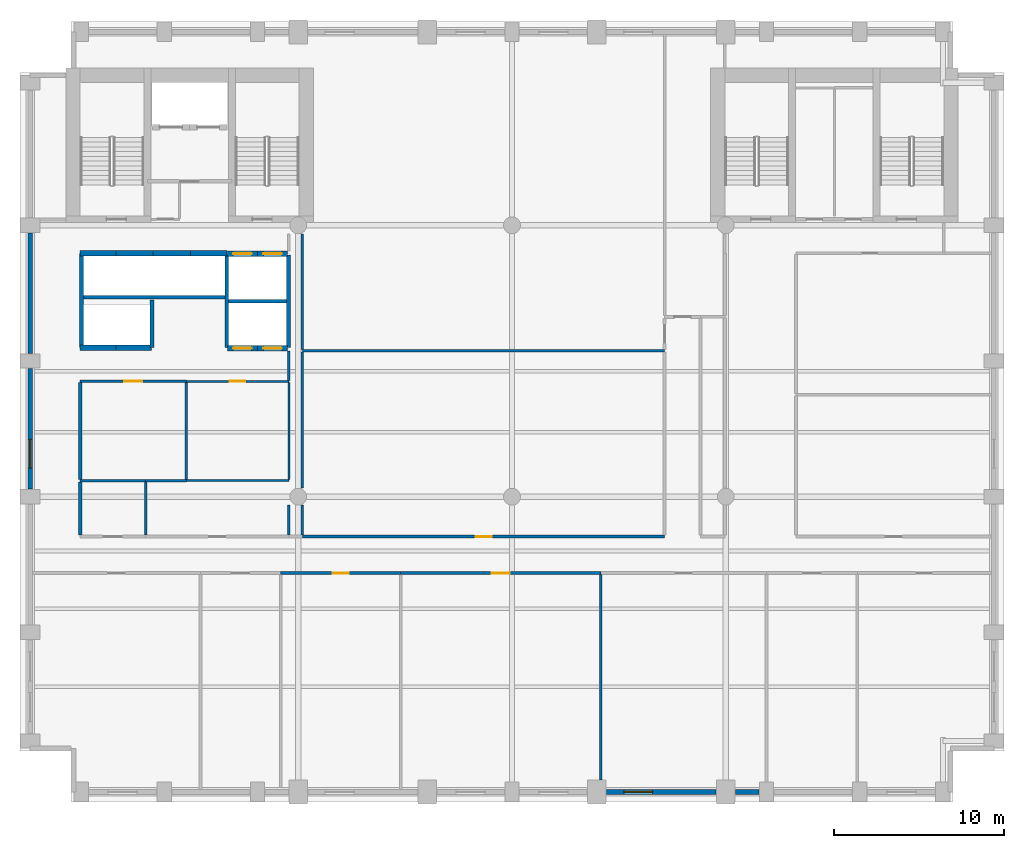
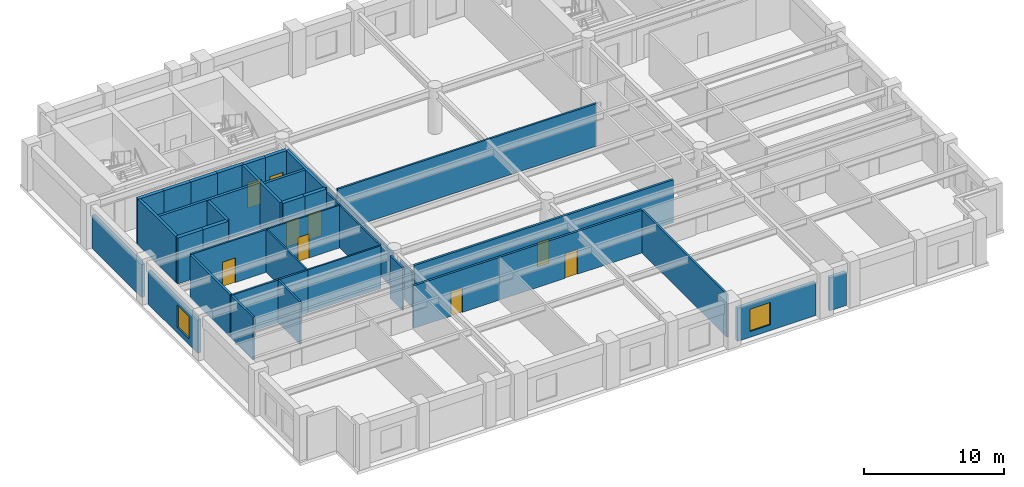
# One storey, part 3 of 8: 40 walls, 9 doors, 2 windows, 11 openings.
"""IFC4 building model written with IfcOpenShell, lengths in metres."""

from ifc_helpers import new_model, si_unit, direction, frame, frame_2d, origin, place, context, subcontext, project, spatial, rectangle, extrude, material, layer, layer_set, type_object, element, fill, save


model = new_model("IFC4")

# Units and contexts
model_context = context("Model", 3, precision=1e-05, world=origin(), true_north=direction((0.0, 1.0)))
body_context = subcontext(model_context, "Body", "Model", "MODEL_VIEW")
ifc_project = project(units=[si_unit("LENGTHUNIT", "METRE"), si_unit("AREAUNIT", "SQUARE_METRE"), si_unit("VOLUMEUNIT", "CUBIC_METRE"), si_unit("PLANEANGLEUNIT", "RADIAN"), si_unit("MASSUNIT", "GRAM", prefix="KILO")], contexts=[model_context])

# Site, building, storey
site_placement = place(None, origin())
site = spatial("IfcSite", under=ifc_project, at=site_placement, CompositionType="ELEMENT")
building_placement = place(site_placement, origin())
building = spatial("IfcBuilding", under=site, at=building_placement, Name="Sulina Concourse Tower", CompositionType="ELEMENT")
storey_placement = place(building_placement, frame((0.0, 0.0, 128.60009765625)))
storey = spatial("IfcBuildingStorey", under=building, at=storey_placement, Name="L31", CompositionType="ELEMENT", Elevation=128.60009765625)

# Walls
ifc_material_1 = material(Name="Concrete C50/60", Category="concrete")
ifc_layer_1 = layer(ifc_material_1, 0.219970703125)
ifc_layer_set_1 = layer_set([ifc_layer_1], Name="Concrete C50/60")
wall_type_1 = type_object("IfcWallType", Name="Core Lift Hoistway Divider Wall 220mm", PredefinedType="SOLIDWALL", material=ifc_layer_set_1)
wall_1_placement = place(storey_placement, frame((3.550048828125, 29.75, 0.0), z_axis=(0.0, 0.0, 1.0), x_axis=(1.0, 0.0, 0.0)))
element("IfcWall", 1, at=wall_1_placement, inside=storey, type_object=wall_type_1, Name="L31 shaft divider wall HW-LP3-S", PredefinedType="SOLIDWALL", context=body_context, shape_type="SweptSolid", body=[
    extrude(rectangle(XDim=8.64990234375, YDim=0.219970703125, at=frame_2d((4.324951171875, 0.0))), origin(), (0.0, 0.0, 1.0), 4.0),
])
wall_2_placement = place(storey_placement, frame((3.6298828125, 26.800048828125, 0.0), z_axis=(0.0, 0.0, 1.0), x_axis=(0.0, 1.0, 0.0)))
element("IfcWall", 2, at=wall_2_placement, inside=storey, type_object=wall_type_1, Name="L31 shaft divider wall HW-LP3-W", PredefinedType="SOLIDWALL", context=body_context, shape_type="SweptSolid", body=[
    extrude(rectangle(XDim=5.550048828125, YDim=0.219970703125, at=frame_2d((2.77490234375, 0.0))), origin(), (0.0, 0.0, 1.0), 4.0),
])
wall_3_placement = place(storey_placement, frame((7.780029296875, 26.800048828125, 0.0), z_axis=(0.0, 0.0, 1.0), x_axis=(0.0, 1.0, 0.0)))
element("IfcWall", 3, at=wall_3_placement, inside=storey, type_object=wall_type_1, Name="L31 shaft divider wall HW-EXP-E", PredefinedType="SOLIDWALL", context=body_context, shape_type="SweptSolid", body=[
    extrude(rectangle(XDim=2.800048828125, YDim=0.219970703125, at=frame_2d((1.39990234375, 0.0))), origin(), (0.0, 0.0, 1.0), 4.0),
])
for number, where, z_axis, x_axis, name in (
    (4, (12.179931640625, 26.800048828125, 0.0), (0.0, 0.0, 1.0), (0.0, 1.0, 0.0), "L31 shaft divider wall HW-LP2-W"),
    (5, (15.820068359375, 26.800048828125, 0.0), (0.0, 0.0, 1.0), (0.0, 1.0, 0.0), "L31 shaft divider wall HW-LP2-E"),
):
    element("IfcWall", number, at=place(storey_placement, frame(where, z_axis=z_axis, x_axis=x_axis)), inside=storey, type_object=wall_type_1, Name=name, PredefinedType="SOLIDWALL", context=body_context, shape_type="SweptSolid", body=[
        extrude(rectangle(XDim=5.449951171875, YDim=0.219970703125, at=frame_2d((2.72509765625, 0.0))), origin(), (0.0, 0.0, 1.0), 4.0),
    ])
wall_4_placement = place(storey_placement, frame((12.300048828125, 29.52001953125, 0.0), z_axis=(0.0, 0.0, 1.0), x_axis=(1.0, 0.0, 0.0)))
element("IfcWall", 6, at=wall_4_placement, inside=storey, type_object=wall_type_1, Name="L31 shaft divider wall HW-LP2-M", PredefinedType="SOLIDWALL", context=body_context, shape_type="SweptSolid", body=[
    extrude(rectangle(XDim=3.39990234375, YDim=0.219970703125, at=frame_2d((1.699951171875, 0.0))), origin(), (0.0, 0.0, 1.0), 4.0),
])

# Wall, opening, door
ifc_material_2 = material(Name="Concrete C50/60", Category="concrete")
ifc_layer_2 = layer(ifc_material_2, 0.300048828125)
ifc_layer_set_2 = layer_set([ifc_layer_2], Name="Concrete C50/60")
wall_type_2 = type_object("IfcWallType", Name="Core Lift Hoistway Wall 300mm", PredefinedType="SOLIDWALL", material=ifc_layer_set_2)
wall_5_placement = place(storey_placement, frame((14.0, 26.75, 0.0), z_axis=(0.0, 0.0, 1.0), x_axis=(-1.0, 0.0, 0.0)))
wall_5 = element("IfcWall", 7, at=wall_5_placement, inside=storey, type_object=wall_type_2, Name="L31 hoistway enclosure wall LP-05", PredefinedType="SOLIDWALL", context=body_context, shape_type="SweptSolid", body=[
    extrude(rectangle(XDim=1.780029296875, YDim=0.300048828125, at=frame_2d((0.89013671875, 0.0))), origin(), (0.0, 0.0, 1.0), 4.0),
])
opening_1_placement = place(wall_5_placement, frame((0.340087890625, 0.0, 0.0)))
opening_1 = element("IfcOpeningElement", 8, at=opening_1_placement, cuts=wall_5, Name="Opening LD-01", PredefinedType="OPENING", context=body_context, shape_type="SweptSolid", body=[
    extrude(rectangle(XDim=1.10009765625, YDim=2.199951171875, at=frame_2d((0.550048828125, 1.10009765625))), frame((0.0, 0.159912109375, 0.0), z_axis=(0.0, -1.0, 0.0), x_axis=(1.0, 0.0, 0.0)), (0.0, 0.0, 1.0), 0.320068359375),
])
ifc_material_3 = material(Name="Stainless steel lift landing door", Category="steel")
ifc_layer_3 = layer(ifc_material_3, 0.050048828125)
ifc_layer_set_3 = layer_set([ifc_layer_3], Name="Stainless steel lift landing door")
door_type_1 = type_object("IfcDoorType", Name="Passenger Lift Sliding Landing Door 1100x2200", OperationType="SLIDING_TO_LEFT", PredefinedType="DOOR", material=ifc_layer_set_3)
door_1_placement = place(opening_1_placement, origin())
door_1 = element("IfcDoor", 9, at=door_1_placement, inside=storey, type_object=door_type_1, Name="L31 lift landing sliding door LP-05", OperationType="SLIDING_TO_LEFT", OverallHeight=2.199951171875, OverallWidth=1.10009765625, PredefinedType="DOOR", context=body_context, shape_type="SweptSolid", body=[
    extrude(rectangle(XDim=1.10009765625, YDim=2.199951171875, at=frame_2d((0.550048828125, 1.10009765625))), frame((0.0, 0.02490234375, 0.0), z_axis=(0.0, -1.0, 0.0), x_axis=(1.0, 0.0, 0.0)), (0.0, 0.0, 1.0), 0.050048828125),
])
fill(opening_1, door_1)

wall_6_placement = place(storey_placement, frame((15.780029296875, 26.75, 0.0), z_axis=(0.0, 0.0, 1.0), x_axis=(-1.0, 0.0, 0.0)))
wall_6 = element("IfcWall", 10, at=wall_6_placement, inside=storey, type_object=wall_type_2, Name="L31 hoistway enclosure wall LP-06", PredefinedType="SOLIDWALL", context=body_context, shape_type="SweptSolid", body=[
    extrude(rectangle(XDim=1.780029296875, YDim=0.300048828125, at=frame_2d((0.89013671875, 0.0))), origin(), (0.0, 0.0, 1.0), 4.0),
])
opening_2_placement = place(wall_6_placement, frame((0.340087890625, 0.0, 0.0)))
opening_2 = element("IfcOpeningElement", 11, at=opening_2_placement, cuts=wall_6, Name="Opening LD-01", PredefinedType="OPENING", context=body_context, shape_type="SweptSolid", body=[
    extrude(rectangle(XDim=1.10009765625, YDim=2.199951171875, at=frame_2d((0.550048828125, 1.10009765625))), frame((0.0, 0.159912109375, 0.0), z_axis=(0.0, -1.0, 0.0), x_axis=(1.0, 0.0, 0.0)), (0.0, 0.0, 1.0), 0.320068359375),
])
door_2_placement = place(opening_2_placement, origin())
door_2 = element("IfcDoor", 12, at=door_2_placement, inside=storey, type_object=door_type_1, Name="L31 lift landing sliding door LP-06", OperationType="SLIDING_TO_RIGHT", OverallHeight=2.199951171875, OverallWidth=1.10009765625, PredefinedType="DOOR", context=body_context, shape_type="SweptSolid", body=[
    extrude(rectangle(XDim=1.10009765625, YDim=2.199951171875, at=frame_2d((0.550048828125, 1.10009765625))), frame((0.0, 0.02490234375, 0.0), z_axis=(0.0, -1.0, 0.0), x_axis=(1.0, 0.0, 0.0)), (0.0, 0.0, 1.0), 0.050048828125),
])
fill(opening_2, door_2)

wall_7_placement = place(storey_placement, frame((12.219970703125, 32.320068359375, 0.0), z_axis=(0.0, 0.0, 1.0), x_axis=(1.0, 0.0, 0.0)))
wall_7 = element("IfcWall", 13, at=wall_7_placement, inside=storey, type_object=wall_type_2, Name="L31 hoistway enclosure wall LP-07", PredefinedType="SOLIDWALL", context=body_context, shape_type="SweptSolid", body=[
    extrude(rectangle(XDim=1.780029296875, YDim=0.300048828125, at=frame_2d((0.89013671875, 0.0))), origin(), (0.0, 0.0, 1.0), 4.0),
])
opening_3_placement = place(wall_7_placement, frame((0.340087890625, 0.0, 0.0)))
opening_3 = element("IfcOpeningElement", 14, at=opening_3_placement, cuts=wall_7, Name="Opening LD-01", PredefinedType="OPENING", context=body_context, shape_type="SweptSolid", body=[
    extrude(rectangle(XDim=1.10009765625, YDim=2.199951171875, at=frame_2d((0.550048828125, 1.10009765625))), frame((0.0, 0.159912109375, 0.0), z_axis=(0.0, -1.0, 0.0), x_axis=(1.0, 0.0, 0.0)), (0.0, 0.0, 1.0), 0.320068359375),
])
door_3_placement = place(opening_3_placement, origin())
door_3 = element("IfcDoor", 15, at=door_3_placement, inside=storey, type_object=door_type_1, Name="L31 lift landing sliding door LP-07", OperationType="SLIDING_TO_LEFT", OverallHeight=2.199951171875, OverallWidth=1.10009765625, PredefinedType="DOOR", context=body_context, shape_type="SweptSolid", body=[
    extrude(rectangle(XDim=1.10009765625, YDim=2.199951171875, at=frame_2d((0.550048828125, 1.10009765625))), frame((0.0, 0.02490234375, 0.0), z_axis=(0.0, -1.0, 0.0), x_axis=(1.0, 0.0, 0.0)), (0.0, 0.0, 1.0), 0.050048828125),
])
fill(opening_3, door_3)

wall_8_placement = place(storey_placement, frame((14.0, 32.320068359375, 0.0), z_axis=(0.0, 0.0, 1.0), x_axis=(1.0, 0.0, 0.0)))
wall_8 = element("IfcWall", 16, at=wall_8_placement, inside=storey, type_object=wall_type_2, Name="L31 hoistway enclosure wall LP-08", PredefinedType="SOLIDWALL", context=body_context, shape_type="SweptSolid", body=[
    extrude(rectangle(XDim=1.780029296875, YDim=0.300048828125, at=frame_2d((0.89013671875, 0.0))), origin(), (0.0, 0.0, 1.0), 4.0),
])
opening_4_placement = place(wall_8_placement, frame((0.340087890625, 0.0, 0.0)))
opening_4 = element("IfcOpeningElement", 17, at=opening_4_placement, cuts=wall_8, Name="Opening LD-01", PredefinedType="OPENING", context=body_context, shape_type="SweptSolid", body=[
    extrude(rectangle(XDim=1.10009765625, YDim=2.199951171875, at=frame_2d((0.550048828125, 1.10009765625))), frame((0.0, 0.159912109375, 0.0), z_axis=(0.0, -1.0, 0.0), x_axis=(1.0, 0.0, 0.0)), (0.0, 0.0, 1.0), 0.320068359375),
])
door_4_placement = place(opening_4_placement, origin())
door_4 = element("IfcDoor", 18, at=door_4_placement, inside=storey, type_object=door_type_1, Name="L31 lift landing sliding door LP-08", OperationType="SLIDING_TO_RIGHT", OverallHeight=2.199951171875, OverallWidth=1.10009765625, PredefinedType="DOOR", context=body_context, shape_type="SweptSolid", body=[
    extrude(rectangle(XDim=1.10009765625, YDim=2.199951171875, at=frame_2d((0.550048828125, 1.10009765625))), frame((0.0, 0.02490234375, 0.0), z_axis=(0.0, -1.0, 0.0), x_axis=(1.0, 0.0, 0.0)), (0.0, 0.0, 1.0), 0.050048828125),
])
fill(opening_4, door_4)

# Walls
wall_9_placement = place(storey_placement, frame((3.550048828125, 32.35009765625, 0.0), z_axis=(0.0, 0.0, 1.0), x_axis=(1.0, 0.0, 0.0)))
element("IfcWall", 19, at=wall_9_placement, inside=storey, type_object=wall_type_2, Name="L31 hoistway enclosure wall LP-09", PredefinedType="SOLIDWALL", context=body_context, shape_type="SweptSolid", body=[
    extrude(rectangle(XDim=2.099853515625, YDim=0.300048828125, at=frame_2d((1.0498046875, 0.0))), origin(), (0.0, 0.0, 1.0), 4.0),
])
wall_10_placement = place(storey_placement, frame((5.64990234375, 32.35009765625, 0.0), z_axis=(0.0, 0.0, 1.0), x_axis=(1.0, 0.0, 0.0)))
element("IfcWall", 20, at=wall_10_placement, inside=storey, type_object=wall_type_2, Name="L31 hoistway enclosure wall LP-10", PredefinedType="SOLIDWALL", context=body_context, shape_type="SweptSolid", body=[
    extrude(rectangle(XDim=2.2001953125, YDim=0.300048828125, at=frame_2d((1.10009765625, 0.0))), origin(), (0.0, 0.0, 1.0), 4.0),
])
wall_11_placement = place(storey_placement, frame((7.85009765625, 32.35009765625, 0.0), z_axis=(0.0, 0.0, 1.0), x_axis=(1.0, 0.0, 0.0)))
element("IfcWall", 21, at=wall_11_placement, inside=storey, type_object=wall_type_2, Name="L31 hoistway enclosure wall LP-11", PredefinedType="SOLIDWALL", context=body_context, shape_type="SweptSolid", body=[
    extrude(rectangle(XDim=2.199951171875, YDim=0.300048828125, at=frame_2d((1.10009765625, 0.0))), origin(), (0.0, 0.0, 1.0), 4.0),
])
wall_12_placement = place(storey_placement, frame((10.050048828125, 32.35009765625, 0.0), z_axis=(0.0, 0.0, 1.0), x_axis=(1.0, 0.0, 0.0)))
element("IfcWall", 22, at=wall_12_placement, inside=storey, type_object=wall_type_2, Name="L31 hoistway enclosure wall LP-12", PredefinedType="SOLIDWALL", context=body_context, shape_type="SweptSolid", body=[
    extrude(rectangle(XDim=2.14990234375, YDim=0.300048828125, at=frame_2d((1.074951171875, 0.0))), origin(), (0.0, 0.0, 1.0), 4.0),
])
wall_13_placement = place(storey_placement, frame((5.64990234375, 26.780029296875, 0.0), z_axis=(0.0, 0.0, 1.0), x_axis=(-1.0, 0.0, 0.0)))
element("IfcWall", 23, at=wall_13_placement, inside=storey, type_object=wall_type_2, Name="L31 hoistway enclosure wall EXP-1", PredefinedType="SOLIDWALL", context=body_context, shape_type="SweptSolid", body=[
    extrude(rectangle(XDim=2.099853515625, YDim=0.300048828125, at=frame_2d((1.0498046875, 0.0))), origin(), (0.0, 0.0, 1.0), 4.0),
])
wall_14_placement = place(storey_placement, frame((7.75, 26.780029296875, 0.0), z_axis=(0.0, 0.0, 1.0), x_axis=(-1.0, 0.0, 0.0)))
element("IfcWall", 24, at=wall_14_placement, inside=storey, type_object=wall_type_2, Name="L31 hoistway enclosure wall EXP-2", PredefinedType="SOLIDWALL", context=body_context, shape_type="SweptSolid", body=[
    extrude(rectangle(XDim=2.10009765625, YDim=0.300048828125, at=frame_2d((1.050048828125, 0.0))), origin(), (0.0, 0.0, 1.0), 4.0),
])
ifc_material_4 = material(Name="Gypsum board on steel stud", Category="steel")
ifc_layer_4 = layer(ifc_material_4, 0.14990234375)
ifc_layer_set_4 = layer_set([ifc_layer_4], Name="Gypsum board on steel stud")
wall_type_3 = type_object("IfcWallType", Name="Inter-Tenancy Acoustic Partition 150mm", PredefinedType="PARTITIONING", material=ifc_layer_set_4)
wall_15_placement = place(storey_placement, frame((3.550048828125, 18.949951171875, 0.0), z_axis=(0.0, 0.0, 1.0), x_axis=(1.0, 0.0, 0.0)))
element("IfcWall", 25, at=wall_15_placement, inside=storey, type_object=wall_type_3, Name="L31 interior partition 014", PredefinedType="PARTITIONING", context=body_context, shape_type="SweptSolid", body=[
    extrude(rectangle(XDim=3.849853515625, YDim=0.14990234375, at=frame_2d((1.9248046875, 0.0))), origin(), (0.0, 0.0, 1.0), 3.724853515625),
])
wall_16_placement = place(storey_placement, frame((7.39990234375, 18.949951171875, 0.0), z_axis=(0.0, 0.0, 1.0), x_axis=(1.0, 0.0, 0.0)))
element("IfcWall", 26, at=wall_16_placement, inside=storey, type_object=wall_type_3, Name="L31 interior partition 015", PredefinedType="PARTITIONING", context=body_context, shape_type="SweptSolid", body=[
    extrude(rectangle(XDim=2.400146484375, YDim=0.14990234375, at=frame_2d((1.2001953125, 0.0))), origin(), (0.0, 0.0, 1.0), 3.724853515625),
])

# Wall, opening, door
wall_17_placement = place(storey_placement, frame((3.550048828125, 24.800048828125, 0.0), z_axis=(0.0, 0.0, 1.0), x_axis=(1.0, 0.0, 0.0)))
wall_17 = element("IfcWall", 27, at=wall_17_placement, inside=storey, type_object=wall_type_3, Name="L31 interior partition 018", PredefinedType="PARTITIONING", context=body_context, shape_type="SweptSolid", body=[
    extrude(rectangle(XDim=6.25, YDim=0.14990234375, at=frame_2d((3.125, 0.0))), origin(), (0.0, 0.0, 1.0), 3.724853515625),
])
opening_5_placement = place(wall_17_placement, frame((2.60009765625, 0.0, 0.0)))
opening_5 = element("IfcOpeningElement", 28, at=opening_5_placement, cuts=wall_17, Name="Opening DR-37", PredefinedType="OPENING", context=body_context, shape_type="SweptSolid", body=[
    extrude(rectangle(XDim=1.050048828125, YDim=2.14990234375, at=frame_2d((0.52490234375, 1.074951171875))), frame((0.0, 0.0849609375, 0.0), z_axis=(0.0, -1.0, 0.0), x_axis=(1.0, 0.0, 0.0)), (0.0, 0.0, 1.0), 0.169921875),
])
ifc_material_5 = material(Name="Oak-veneered fire door leaf")
ifc_layer_5 = layer(ifc_material_5, 0.050048828125)
ifc_layer_set_5 = layer_set([ifc_layer_5], Name="Oak-veneered fire door leaf")
door_type_2 = type_object("IfcDoorType", Name="Tenant Suite Entrance Fire Door 1050x2150", OperationType="NOTDEFINED", PredefinedType="DOOR", material=ifc_layer_set_5)
door_5_placement = place(opening_5_placement, origin())
door_5 = element("IfcDoor", 29, at=door_5_placement, inside=storey, type_object=door_type_2, Name="L31 interior door L31-LR-MRG1", OperationType="SINGLE_SWING_RIGHT", OverallHeight=2.14990234375, OverallWidth=1.050048828125, PredefinedType="DOOR", context=body_context, shape_type="SweptSolid", body=[
    extrude(rectangle(XDim=1.050048828125, YDim=2.14990234375, at=frame_2d((0.52490234375, 1.074951171875))), frame((0.0, 0.02490234375, 0.0), z_axis=(0.0, -1.0, 0.0), x_axis=(1.0, 0.0, 0.0)), (0.0, 0.0, 1.0), 0.050048828125),
])
fill(opening_5, door_5)

# Walls
wall_18_placement = place(storey_placement, frame((16.64990234375, 26.60009765625, 0.0), z_axis=(0.0, 0.0, 1.0), x_axis=(1.0, 0.0, 0.0)))
element("IfcWall", 30, at=wall_18_placement, inside=storey, type_object=wall_type_3, Name="L31 interior partition 020", PredefinedType="PARTITIONING", context=body_context, shape_type="SweptSolid", body=[
    extrude(rectangle(XDim=21.35009765625, YDim=0.14990234375, at=frame_2d((10.675048828125, 0.0))), origin(), (0.0, 0.0, 1.0), 3.724853515625),
])
wall_19_placement = place(storey_placement, frame((7.39990234375, 15.739990234375, 0.0), z_axis=(0.0, 0.0, 1.0), x_axis=(0.0, 1.0, 0.0)))
element("IfcWall", 31, at=wall_19_placement, inside=storey, type_object=wall_type_3, Name="L31 interior partition 031", PredefinedType="PARTITIONING", context=body_context, shape_type="SweptSolid", body=[
    extrude(rectangle(XDim=3.135009765625, YDim=0.14990234375, at=frame_2d((1.5673828125, 0.0))), origin(), (0.0, 0.0, 1.0), 3.724853515625),
])
wall_20_placement = place(storey_placement, frame((15.85009765625, 15.739990234375, 0.0), z_axis=(0.0, 0.0, 1.0), x_axis=(0.0, 1.0, 0.0)))
element("IfcWall", 32, at=wall_20_placement, inside=storey, type_object=wall_type_3, Name="L31 interior partition 036", PredefinedType="PARTITIONING", context=body_context, shape_type="SweptSolid", body=[
    extrude(rectangle(XDim=1.760009765625, YDim=0.14990234375, at=frame_2d((0.8798828125, 0.0))), origin(), (0.0, 0.0, 1.0), 3.724853515625),
])
wall_21_placement = place(storey_placement, frame((15.85009765625, 24.862548828125, 0.0), z_axis=(0.0, 0.0, 1.0), x_axis=(0.0, 1.0, 0.0)))
element("IfcWall", 33, at=wall_21_placement, inside=storey, type_object=wall_type_3, Name="L31 interior partition 038", PredefinedType="PARTITIONING", context=body_context, shape_type="SweptSolid", body=[
    extrude(rectangle(XDim=1.737548828125, YDim=0.14990234375, at=frame_2d((0.86865234375, 0.0))), origin(), (0.0, 0.0, 1.0), 3.724853515625),
])
wall_22_placement = place(storey_placement, frame((16.64990234375, 15.739990234375, 0.0), z_axis=(0.0, 0.0, 1.0), x_axis=(0.0, 1.0, 0.0)))
element("IfcWall", 34, at=wall_22_placement, inside=storey, type_object=wall_type_3, Name="L31 interior partition 040", PredefinedType="PARTITIONING", context=body_context, shape_type="SweptSolid", body=[
    extrude(rectangle(XDim=1.760009765625, YDim=0.14990234375, at=frame_2d((0.8798828125, 0.0))), origin(), (0.0, 0.0, 1.0), 3.06982421875),
])
wall_23_placement = place(storey_placement, frame((16.64990234375, 18.5, 0.0), z_axis=(0.0, 0.0, 1.0), x_axis=(0.0, 1.0, 0.0)))
element("IfcWall", 35, at=wall_23_placement, inside=storey, type_object=wall_type_3, Name="L31 interior partition 041", PredefinedType="PARTITIONING", context=body_context, shape_type="SweptSolid", body=[
    extrude(rectangle(XDim=8.02490234375, YDim=0.14990234375, at=frame_2d((4.012451171875, 0.0))), origin(), (0.0, 0.0, 1.0), 3.06982421875),
])
wall_24_placement = place(storey_placement, frame((16.64990234375, 26.675048828125, 0.0), z_axis=(0.0, 0.0, 1.0), x_axis=(0.0, 1.0, 0.0)))
element("IfcWall", 36, at=wall_24_placement, inside=storey, type_object=wall_type_3, Name="L31 interior partition 042", PredefinedType="PARTITIONING", context=body_context, shape_type="SweptSolid", body=[
    extrude(rectangle(XDim=6.824951171875, YDim=0.14990234375, at=frame_2d((3.41259765625, 0.0))), origin(), (0.0, 0.0, 1.0), 3.06982421875),
])
wall_25_placement = place(storey_placement, frame((34.239990234375, 1.300048828125, 0.0), z_axis=(0.0, 0.0, 1.0), x_axis=(0.0, 1.0, 0.0)))
element("IfcWall", 37, at=wall_25_placement, inside=storey, type_object=wall_type_3, Name="L31 interior partition 044", PredefinedType="PARTITIONING", context=body_context, shape_type="SweptSolid", body=[
    extrude(rectangle(XDim=12.10986328125, YDim=0.14990234375, at=frame_2d((6.054931640625, 0.0))), origin(), (0.0, 0.0, 1.0), 3.724853515625),
])

# Wall, opening, door
ifc_material_6 = material(Name="Gypsum board on steel stud", Category="steel")
ifc_layer_6 = layer(ifc_material_6, 0.179931640625)
ifc_layer_set_6 = layer_set([ifc_layer_6], Name="Gypsum board on steel stud")
wall_type_4 = type_object("IfcWallType", Name="Protected Corridor & Riser Partition 180mm", PredefinedType="PARTITIONING", material=ifc_layer_set_6)
wall_26_placement = place(storey_placement, frame((15.360107421875, 13.5, 0.0), z_axis=(0.0, 0.0, 1.0), x_axis=(1.0, 0.0, 0.0)))
wall_26 = element("IfcWall", 38, at=wall_26_placement, inside=storey, type_object=wall_type_4, Name="L31 interior partition 003", PredefinedType="PARTITIONING", context=body_context, shape_type="SweptSolid", body=[
    extrude(rectangle(XDim=7.079833984375, YDim=0.179931640625, at=frame_2d((3.5400390625, 0.0))), origin(), (0.0, 0.0, 1.0), 3.724853515625),
])
opening_6_placement = place(wall_26_placement, frame((3.06494140625, 0.0, 0.0)))
opening_6 = element("IfcOpeningElement", 39, at=opening_6_placement, cuts=wall_26, Name="Opening DR-19", PredefinedType="OPENING", context=body_context, shape_type="SweptSolid", body=[
    extrude(rectangle(XDim=0.949951171875, YDim=2.14990234375, at=frame_2d((0.47509765625, 1.074951171875))), frame((0.0, 0.099853515625, 0.0), z_axis=(0.0, -1.0, 0.0), x_axis=(1.0, 0.0, 0.0)), (0.0, 0.0, 1.0), 0.199951171875),
])
ifc_material_7 = material(Name="Oak-veneered acoustic timber leaf", Category="wood")
ifc_layer_7 = layer(ifc_material_7, 0.050048828125)
ifc_layer_set_7 = layer_set([ifc_layer_7], Name="Oak-veneered acoustic timber leaf")
door_type_3 = type_object("IfcDoorType", Name="Cellular Office & Meeting Door 950x2150", OperationType="NOTDEFINED", PredefinedType="DOOR", material=ifc_layer_set_7)
door_6_placement = place(opening_6_placement, origin())
door_6 = element("IfcDoor", 40, at=door_6_placement, inside=storey, type_object=door_type_3, Name="L31 interior door L31-S02B", OperationType="SINGLE_SWING_LEFT", OverallHeight=2.14990234375, OverallWidth=0.949951171875, PredefinedType="DOOR", context=body_context, shape_type="SweptSolid", body=[
    extrude(rectangle(XDim=0.949951171875, YDim=2.14990234375, at=frame_2d((0.47509765625, 1.074951171875))), frame((0.0, 0.02490234375, 0.0), z_axis=(0.0, -1.0, 0.0), x_axis=(1.0, 0.0, 0.0)), (0.0, 0.0, 1.0), 0.050048828125),
])
fill(opening_6, door_6)

wall_27_placement = place(storey_placement, frame((22.43994140625, 13.5, 0.0), z_axis=(0.0, 0.0, 1.0), x_axis=(1.0, 0.0, 0.0)))
wall_27 = element("IfcWall", 41, at=wall_27_placement, inside=storey, type_object=wall_type_4, Name="L31 interior partition 004", PredefinedType="PARTITIONING", context=body_context, shape_type="SweptSolid", body=[
    extrude(rectangle(XDim=11.800048828125, YDim=0.179931640625, at=frame_2d((5.89990234375, 0.0))), origin(), (0.0, 0.0, 1.0), 3.724853515625),
])
opening_7_placement = place(wall_27_placement, frame((5.375, 0.0, 0.0)))
opening_7 = element("IfcOpeningElement", 42, at=opening_7_placement, cuts=wall_27, Name="Opening DR-37", PredefinedType="OPENING", context=body_context, shape_type="SweptSolid", body=[
    extrude(rectangle(XDim=1.050048828125, YDim=2.14990234375, at=frame_2d((0.52490234375, 1.074951171875))), frame((0.0, 0.099853515625, 0.0), z_axis=(0.0, -1.0, 0.0), x_axis=(1.0, 0.0, 0.0)), (0.0, 0.0, 1.0), 0.199951171875),
])
door_7_placement = place(opening_7_placement, origin())
door_7 = element("IfcDoor", 43, at=door_7_placement, inside=storey, type_object=door_type_2, Name="L31 interior door L31-S03", OperationType="SINGLE_SWING_RIGHT", OverallHeight=2.14990234375, OverallWidth=1.050048828125, PredefinedType="DOOR", context=body_context, shape_type="SweptSolid", body=[
    extrude(rectangle(XDim=1.050048828125, YDim=2.14990234375, at=frame_2d((0.52490234375, 1.074951171875))), frame((0.0, 0.02490234375, 0.0), z_axis=(0.0, -1.0, 0.0), x_axis=(1.0, 0.0, 0.0)), (0.0, 0.0, 1.0), 0.050048828125),
])
fill(opening_7, door_7)

wall_28_placement = place(storey_placement, frame((16.64990234375, 15.64990234375, 0.0), z_axis=(0.0, 0.0, 1.0), x_axis=(1.0, 0.0, 0.0)))
wall_28 = element("IfcWall", 44, at=wall_28_placement, inside=storey, type_object=wall_type_4, Name="L31 interior partition 011", PredefinedType="PARTITIONING", context=body_context, shape_type="SweptSolid", body=[
    extrude(rectangle(XDim=21.35009765625, YDim=0.179931640625, at=frame_2d((10.675048828125, 0.0))), origin(), (0.0, 0.0, 1.0), 3.724853515625),
])
opening_8_placement = place(wall_28_placement, frame((10.199951171875, 0.0, 0.0)))
opening_8 = element("IfcOpeningElement", 45, at=opening_8_placement, cuts=wall_28, Name="Opening DR-19", PredefinedType="OPENING", context=body_context, shape_type="SweptSolid", body=[
    extrude(rectangle(XDim=0.949951171875, YDim=2.14990234375, at=frame_2d((0.47509765625, 1.074951171875))), frame((0.0, 0.099853515625, 0.0), z_axis=(0.0, -1.0, 0.0), x_axis=(1.0, 0.0, 0.0)), (0.0, 0.0, 1.0), 0.199951171875),
])
door_8_placement = place(opening_8_placement, origin())
door_8 = element("IfcDoor", 46, at=door_8_placement, inside=storey, type_object=door_type_3, Name="L31 interior door L31-NC1", OperationType="SINGLE_SWING_RIGHT", OverallHeight=2.14990234375, OverallWidth=0.949951171875, PredefinedType="DOOR", context=body_context, shape_type="SweptSolid", body=[
    extrude(rectangle(XDim=0.949951171875, YDim=2.14990234375, at=frame_2d((0.47509765625, 1.074951171875))), frame((0.0, 0.02490234375, 0.0), z_axis=(0.0, -1.0, 0.0), x_axis=(1.0, 0.0, 0.0)), (0.0, 0.0, 1.0), 0.050048828125),
])
fill(opening_8, door_8)

# Walls
wall_29_placement = place(storey_placement, frame((3.550048828125, 15.739990234375, 0.0), z_axis=(0.0, 0.0, 1.0), x_axis=(0.0, 1.0, 0.0)))
element("IfcWall", 47, at=wall_29_placement, inside=storey, type_object=wall_type_4, Name="L31 interior partition 029", PredefinedType="PARTITIONING", context=body_context, shape_type="SweptSolid", body=[
    extrude(rectangle(XDim=3.135009765625, YDim=0.179931640625, at=frame_2d((1.5673828125, 0.0))), origin(), (0.0, 0.0, 1.0), 3.724853515625),
])
wall_30_placement = place(storey_placement, frame((3.550048828125, 19.02490234375, 0.0), z_axis=(0.0, 0.0, 1.0), x_axis=(0.0, 1.0, 0.0)))
element("IfcWall", 48, at=wall_30_placement, inside=storey, type_object=wall_type_4, Name="L31 interior partition 030", PredefinedType="PARTITIONING", context=body_context, shape_type="SweptSolid", body=[
    extrude(rectangle(XDim=5.7001953125, YDim=0.179931640625, at=frame_2d((2.85009765625, 0.0))), origin(), (0.0, 0.0, 1.0), 3.724853515625),
])

# Wall, opening, window
ifc_material_8 = material(Name="Precast concrete C50/60", Category="concrete")
ifc_layer_8 = layer(ifc_material_8, 0.280029296875)
ifc_layer_set_8 = layer_set([ifc_layer_8], Name="Precast concrete C50/60")
wall_type_5 = type_object("IfcWallType", Name="Typical Precast Masonry-Frame Facade Wall 280mm", PredefinedType="SOLIDWALL", material=ifc_layer_set_8)
wall_31_placement = place(storey_placement, frame((41.030029296875, 0.60009765625, 0.0), z_axis=(0.0, 0.0, 1.0), x_axis=(-1.0, 0.0, 0.0)))
wall_31 = element("IfcWall", 49, at=wall_31_placement, inside=storey, type_object=wall_type_5, Name="L31 exterior precast wall S7", PredefinedType="SOLIDWALL", context=body_context, shape_type="SweptSolid", body=[
    extrude(rectangle(XDim=6.4599609375, YDim=0.280029296875, at=frame_2d((3.22998046875, 0.0))), origin(), (0.0, 0.0, 1.0), 2.875),
])
opening_9_placement = place(wall_31_placement, frame((3.739990234375, 0.0, 0.5)))
opening_9 = element("IfcOpeningElement", 50, at=opening_9_placement, cuts=wall_31, Name="Opening WN-66", PredefinedType="OPENING", context=body_context, shape_type="SweptSolid", body=[
    extrude(rectangle(XDim=1.699951171875, YDim=1.949951171875, at=frame_2d((0.85009765625, 0.97509765625))), frame((0.0, 0.14990234375, 0.0), z_axis=(0.0, -1.0, 0.0), x_axis=(1.0, 0.0, 0.0)), (0.0, 0.0, 1.0), 0.300048828125),
])
ifc_material_9 = material(Name="Low-E solar double glazing in bronze aluminium", Category="aluminium")
window_type = type_object("IfcWindowType", Name="Recessed Spandrel Window 1700x1950", PartitioningType="SINGLE_PANEL", PredefinedType="WINDOW", material=ifc_material_9)
window_1_placement = place(opening_9_placement, origin())
window_1 = element("IfcWindow", 51, at=window_1_placement, inside=storey, type_object=window_type, Name="L31 punched window S7-1", OverallHeight=1.949951171875, OverallWidth=1.699951171875, PartitioningType="SINGLE_PANEL", PredefinedType="WINDOW", context=body_context, shape_type="SweptSolid", body=[
    extrude(rectangle(XDim=1.699951171875, YDim=1.949951171875, at=frame_2d((0.85009765625, 0.97509765625))), frame((0.0, 0.030029296875, 0.0), z_axis=(0.0, -1.0, 0.0), x_axis=(1.0, 0.0, 0.0)), (0.0, 0.0, 1.0), 0.06005859375),
])
fill(opening_9, window_1)

# Wall
wall_32_placement = place(storey_placement, frame((43.554931640625, 0.60009765625, 0.0), z_axis=(0.0, 0.0, 1.0), x_axis=(-1.0, 0.0, 0.0)))
element("IfcWall", 52, at=wall_32_placement, inside=storey, type_object=wall_type_5, Name="L31 exterior precast wall S8", PredefinedType="SOLIDWALL", context=body_context, shape_type="SweptSolid", body=[
    extrude(rectangle(XDim=1.385009765625, YDim=0.280029296875, at=frame_2d((0.6923828125, 0.0))), origin(), (0.0, 0.0, 1.0), 2.875),
])

# Wall, opening, window
wall_33_placement = place(storey_placement, frame((0.60009765625, 18.445068359375, 0.0), z_axis=(0.0, 0.0, 1.0), x_axis=(0.0, 1.0, 0.0)))
wall_33 = element("IfcWall", 53, at=wall_33_placement, inside=storey, type_object=wall_type_5, Name="L31 exterior precast wall W3", PredefinedType="SOLIDWALL", context=body_context, shape_type="SweptSolid", body=[
    extrude(rectangle(XDim=7.10986328125, YDim=0.280029296875, at=frame_2d((3.554931640625, 0.0))), origin(), (0.0, 0.0, 1.0), 2.875),
])
opening_10_placement = place(wall_33_placement, frame((1.23681640625, 0.0, 0.5)))
opening_10 = element("IfcOpeningElement", 54, at=opening_10_placement, cuts=wall_33, Name="Opening WN-66", PredefinedType="OPENING", context=body_context, shape_type="SweptSolid", body=[
    extrude(rectangle(XDim=1.699951171875, YDim=1.949951171875, at=frame_2d((0.85009765625, 0.97509765625))), frame((0.0, 0.14990234375, 0.0), z_axis=(0.0, -1.0, 0.0), x_axis=(1.0, 0.0, 0.0)), (0.0, 0.0, 1.0), 0.300048828125),
])
window_2_placement = place(opening_10_placement, origin())
window_2 = element("IfcWindow", 55, at=window_2_placement, inside=storey, type_object=window_type, Name="L31 punched window W3-1", OverallHeight=1.949951171875, OverallWidth=1.699951171875, PartitioningType="SINGLE_PANEL", PredefinedType="WINDOW", context=body_context, shape_type="SweptSolid", body=[
    extrude(rectangle(XDim=1.699951171875, YDim=1.949951171875, at=frame_2d((0.85009765625, 0.97509765625))), frame((0.0, 0.030029296875, 0.0), z_axis=(0.0, -1.0, 0.0), x_axis=(1.0, 0.0, 0.0)), (0.0, 0.0, 1.0), 0.06005859375),
])
fill(opening_10, window_2)

# Walls
wall_34_placement = place(storey_placement, frame((0.60009765625, 26.445068359375, 0.0), z_axis=(0.0, 0.0, 1.0), x_axis=(0.0, 1.0, 0.0)))
element("IfcWall", 56, at=wall_34_placement, inside=storey, type_object=wall_type_5, Name="L31 exterior precast wall W4", PredefinedType="SOLIDWALL", context=body_context, shape_type="SweptSolid", body=[
    extrude(rectangle(XDim=7.10986328125, YDim=0.280029296875, at=frame_2d((3.554931640625, 0.0))), origin(), (0.0, 0.0, 1.0), 2.875),
])
ifc_material_10 = material(Name="Gypsum board on steel stud", Category="steel")
ifc_layer_9 = layer(ifc_material_10, 0.125)
ifc_layer_set_9 = layer_set([ifc_layer_9], Name="Gypsum board on steel stud")
wall_type_6 = type_object("IfcWallType", Name="Wet-Area Moisture-Resistant Partition 125mm", PredefinedType="PARTITIONING", material=ifc_layer_set_9)
wall_35_placement = place(storey_placement, frame((9.800048828125, 18.949951171875, 0.0), z_axis=(0.0, 0.0, 1.0), x_axis=(1.0, 0.0, 0.0)))
element("IfcWall", 57, at=wall_35_placement, inside=storey, type_object=wall_type_6, Name="L31 interior partition 016", PredefinedType="PARTITIONING", context=body_context, shape_type="SweptSolid", body=[
    extrude(rectangle(XDim=6.050048828125, YDim=0.125, at=frame_2d((3.02490234375, 0.0))), origin(), (0.0, 0.0, 1.0), 3.724853515625),
])

# Wall, opening, door
wall_36_placement = place(storey_placement, frame((9.800048828125, 24.800048828125, 0.0), z_axis=(0.0, 0.0, 1.0), x_axis=(1.0, 0.0, 0.0)))
wall_36 = element("IfcWall", 58, at=wall_36_placement, inside=storey, type_object=wall_type_6, Name="L31 interior partition 019", PredefinedType="PARTITIONING", context=body_context, shape_type="SweptSolid", body=[
    extrude(rectangle(XDim=6.050048828125, YDim=0.125, at=frame_2d((3.02490234375, 0.0))), origin(), (0.0, 0.0, 1.0), 3.724853515625),
])
opening_11_placement = place(wall_36_placement, frame((2.574951171875, 0.0, 0.0)))
opening_11 = element("IfcOpeningElement", 59, at=opening_11_placement, cuts=wall_36, Name="Opening DR-21", PredefinedType="OPENING", context=body_context, shape_type="SweptSolid", body=[
    extrude(rectangle(XDim=0.89990234375, YDim=2.10009765625, at=frame_2d((0.449951171875, 1.050048828125))), frame((0.0, 0.072509765625, 0.0), z_axis=(0.0, -1.0, 0.0), x_axis=(1.0, 0.0, 0.0)), (0.0, 0.0, 1.0), 0.14501953125),
])
ifc_material_11 = material(Name="Oak-veneered fire door leaf")
ifc_layer_10 = layer(ifc_material_11, 0.050048828125)
ifc_layer_set_10 = layer_set([ifc_layer_10], Name="Oak-veneered fire door leaf")
door_type_4 = type_object("IfcDoorType", Name="Restroom & Service Door 900x2100", OperationType="NOTDEFINED", PredefinedType="DOOR", material=ifc_layer_set_10)
door_9_placement = place(opening_11_placement, origin())
door_9 = element("IfcDoor", 60, at=door_9_placement, inside=storey, type_object=door_type_4, Name="L31 interior door L31-LR-MRG2", OperationType="SINGLE_SWING_LEFT", OverallHeight=2.10009765625, OverallWidth=0.89990234375, PredefinedType="DOOR", context=body_context, shape_type="SweptSolid", body=[
    extrude(rectangle(XDim=0.89990234375, YDim=2.10009765625, at=frame_2d((0.449951171875, 1.050048828125))), frame((0.0, 0.02490234375, 0.0), z_axis=(0.0, -1.0, 0.0), x_axis=(1.0, 0.0, 0.0)), (0.0, 0.0, 1.0), 0.050048828125),
])
fill(opening_11, door_9)

# Walls
wall_37_placement = place(storey_placement, frame((9.800048828125, 19.02490234375, 0.0), z_axis=(0.0, 0.0, 1.0), x_axis=(0.0, 1.0, 0.0)))
element("IfcWall", 61, at=wall_37_placement, inside=storey, type_object=wall_type_6, Name="L31 interior partition 033", PredefinedType="PARTITIONING", context=body_context, shape_type="SweptSolid", body=[
    extrude(rectangle(XDim=5.7001953125, YDim=0.125, at=frame_2d((2.85009765625, 0.0))), origin(), (0.0, 0.0, 1.0), 3.724853515625),
])
wall_38_placement = place(storey_placement, frame((15.85009765625, 19.012451171875, 0.0), z_axis=(0.0, 0.0, 1.0), x_axis=(0.0, 1.0, 0.0)))
element("IfcWall", 62, at=wall_38_placement, inside=storey, type_object=wall_type_6, Name="L31 interior partition 037", PredefinedType="PARTITIONING", context=body_context, shape_type="SweptSolid", body=[
    extrude(rectangle(XDim=5.72509765625, YDim=0.125, at=frame_2d((2.862548828125, 0.0))), origin(), (0.0, 0.0, 1.0), 3.724853515625),
])

save(model, "model.ifc")
